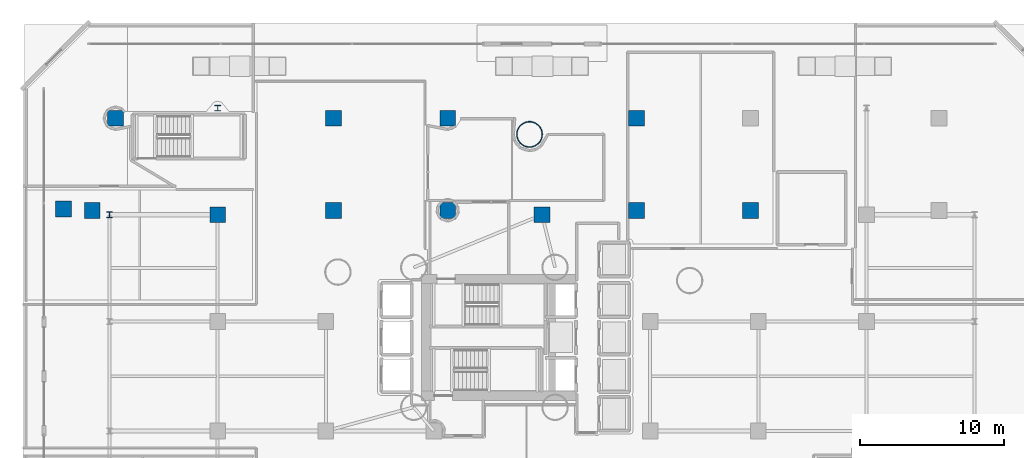
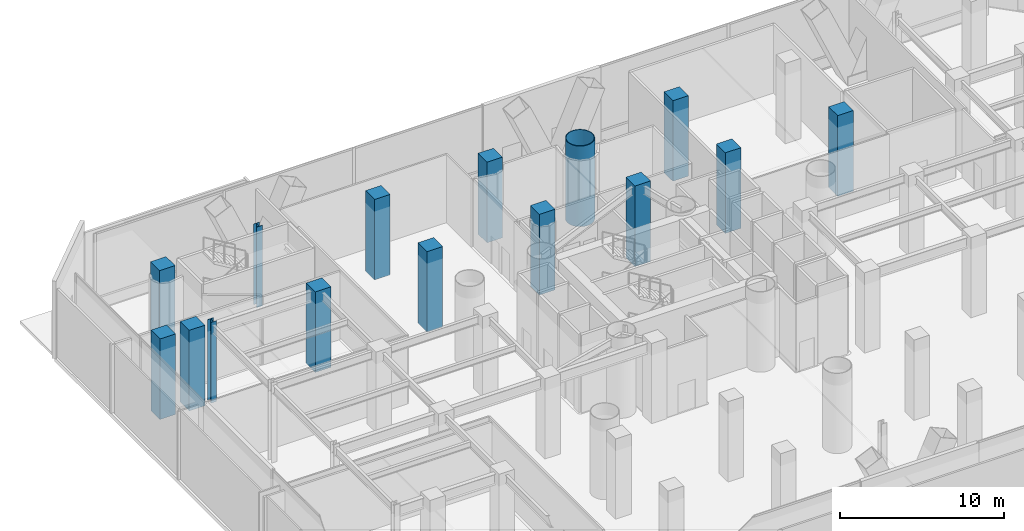
# One storey, part 3 of 40: 15 columns.
"""IFC4 building model written with IfcOpenShell, lengths in metres."""

from ifc_helpers import new_model, si_unit, direction, frame, origin, origin_2d, place, context, subcontext, project, spatial, rectangle, hollow_circle, i_section, extrude, material, material_profile, profile_set, type_object, element, save


model = new_model("IFC4")

# Units and contexts
model_context = context("Model", 3, precision=1e-05, world=origin(), true_north=direction((0.0, 1.0)))
body_context = subcontext(model_context, "Body", "Model", "MODEL_VIEW")
ifc_project = project(units=[si_unit("LENGTHUNIT", "METRE"), si_unit("AREAUNIT", "SQUARE_METRE"), si_unit("VOLUMEUNIT", "CUBIC_METRE"), si_unit("PLANEANGLEUNIT", "RADIAN"), si_unit("MASSUNIT", "GRAM", prefix="KILO")], contexts=[model_context])

# Site, building, storey
site_placement = place(None, origin())
site = spatial("IfcSite", under=ifc_project, at=site_placement, CompositionType="ELEMENT")
building_placement = place(site_placement, origin())
building = spatial("IfcBuilding", under=site, at=building_placement, Name="Qianvela Tower", CompositionType="ELEMENT")
storey_placement = place(building_placement, origin())
storey = spatial("IfcBuildingStorey", under=building, at=storey_placement, Name="L00", CompositionType="ELEMENT", Elevation=0.0)

# Columns
ifc_material_1 = material(Name="Steel Q420GJC", Category="steel")
ifc_material_profile_1 = material_profile(ifc_material_1, hollow_circle(Radius=0.89990234375, WallThickness=0.044921875, at=origin_2d()), Name="CFT-1800x45")
ifc_profile_set_1 = profile_set([ifc_material_profile_1], Name="Steel Q420GJC")
column_type_1 = type_object("IfcColumnType", Name="COL-CFT-1800x45", PredefinedType="COLUMN", material=ifc_profile_set_1)
column_placement = place(storey_placement, frame((36.632080078125, 42.778076171875, 0.0), z_axis=(0.0, 0.0, 1.0), x_axis=(1.0, 0.0, 0.0)))
element("IfcColumn", 1, at=column_placement, inside=storey, type_object=column_type_1, Name="L00 Tower Base CFT Mega-Column C3", PredefinedType="COLUMN", context=body_context, shape_type="SweptSolid", body=[
    extrude(hollow_circle(Radius=0.89990234375, WallThickness=0.044921875, at=origin_2d()), origin(), (0.0, 0.0, 1.0), 6.0),
])
ifc_material_2 = material(Name="Steel Q355B", Category="steel")
ifc_material_profile_2 = material_profile(ifc_material_2, i_section(OverallWidth=0.39990234375, OverallDepth=0.39990234375, WebThickness=0.012939453125, FlangeThickness=0.02099609375, at=origin_2d()), Name="HW400x400x13x21")
ifc_profile_set_2 = profile_set([ifc_material_profile_2], Name="Steel Q355B")
column_type_2 = type_object("IfcColumnType", Name="COL-HW-400", PredefinedType="COLUMN", material=ifc_profile_set_2)
for number, where, z_axis, x_axis, name in (
    (2, (7.5, 37.199951171875, 0.0), (0.0, 0.0, 1.0), (1.0, 0.0, 0.0), "L00 Podium Grid Column P04"),
    (3, (15.0, 44.60009765625, 0.0), (0.0, 0.0, 1.0), (1.0, 0.0, 0.0), "L00 Podium Grid Column P10"),
):
    element("IfcColumn", number, at=place(storey_placement, frame(where, z_axis=z_axis, x_axis=x_axis)), inside=storey, type_object=column_type_2, Name=name, PredefinedType="COLUMN", context=body_context, shape_type="SweptSolid", body=[
        extrude(i_section(OverallWidth=0.39990234375, OverallDepth=0.39990234375, WebThickness=0.012939453125, FlangeThickness=0.02099609375, at=origin_2d()), origin(), (0.0, 0.0, 1.0), 6.0),
    ])
ifc_material_3 = material(Name="Concrete C60", Category="concrete")
ifc_material_profile_3 = material_profile(ifc_material_3, rectangle(XDim=1.10009765625, YDim=1.10009765625, at=origin_2d()), Name="RC-COL-1100x1100")
ifc_profile_set_3 = profile_set([ifc_material_profile_3], Name="Concrete C60")
column_type_3 = type_object("IfcColumnType", Name="COL-RC-1100", PredefinedType="COLUMN", material=ifc_profile_set_3)
for number, where, z_axis, x_axis, name in (
    (4, (7.89990234375, 43.89990234375, 0.0), (0.0, 0.0, 1.0), (1.0, 0.0, 0.0), "L00 Concourse Colonnade Column VC-N1-L-B1"),
    (5, (6.300048828125, 37.5, 0.0), (0.0, 0.0, 1.0), (1.0, 0.0, 0.0), "L00 Concourse Colonnade Column VC-N1-L-B2"),
    (6, (23.044677734375, 43.89990234375, 0.0), (0.0, 0.0, 1.0), (1.0, 0.0, 0.0), "L00 Concourse Colonnade Column VC-N1-R-B1"),
    (7, (23.044677734375, 37.5, 0.0), (0.0, 0.0, 1.0), (1.0, 0.0, 0.0), "L00 Concourse Colonnade Column VC-N1-R-B2"),
    (8, (30.955322265625, 43.89990234375, 0.0), (0.0, 0.0, 1.0), (1.0, 0.0, 0.0), "L00 Concourse Colonnade Column VC-N2-L-B1"),
    (9, (30.955322265625, 37.5, 0.0), (0.0, 0.0, 1.0), (1.0, 0.0, 0.0), "L00 Concourse Colonnade Column VC-N2-L-B2"),
    (10, (44.044677734375, 43.89990234375, 0.0), (0.0, 0.0, 1.0), (1.0, 0.0, 0.0), "L00 Concourse Colonnade Column VC-N2-R-B1"),
    (11, (44.044677734375, 37.5, 0.0), (0.0, 0.0, 1.0), (1.0, 0.0, 0.0), "L00 Concourse Colonnade Column VC-N2-R-B2"),
    (12, (51.955322265625, 37.5, 0.0), (0.0, 0.0, 1.0), (1.0, 0.0, 0.0), "L00 Concourse Colonnade Column VC-N3-L-B2"),
    (13, (15.0, 37.199951171875, 0.0), (0.0, 0.0, 1.0), (1.0, 0.0, 0.0), "L00 Podium Grid Column P09"),
    (14, (37.5, 37.199951171875, 0.0), (0.0, 0.0, 1.0), (1.0, 0.0, 0.0), "L00 Podium Grid Column P24"),
    (15, (4.302978515625, 37.60009765625, 0.0), (0.0, 0.0, 1.0), (1.0, 0.0, 0.0), "L00 Concourse Back-Anchor Column VC-N1-L"),
):
    element("IfcColumn", number, at=place(storey_placement, frame(where, z_axis=z_axis, x_axis=x_axis)), inside=storey, type_object=column_type_3, Name=name, PredefinedType="COLUMN", context=body_context, shape_type="SweptSolid", body=[
        extrude(rectangle(XDim=1.10009765625, YDim=1.10009765625, at=origin_2d()), origin(), (0.0, 0.0, 1.0), 6.0),
    ])

save(model, "model.ifc")
